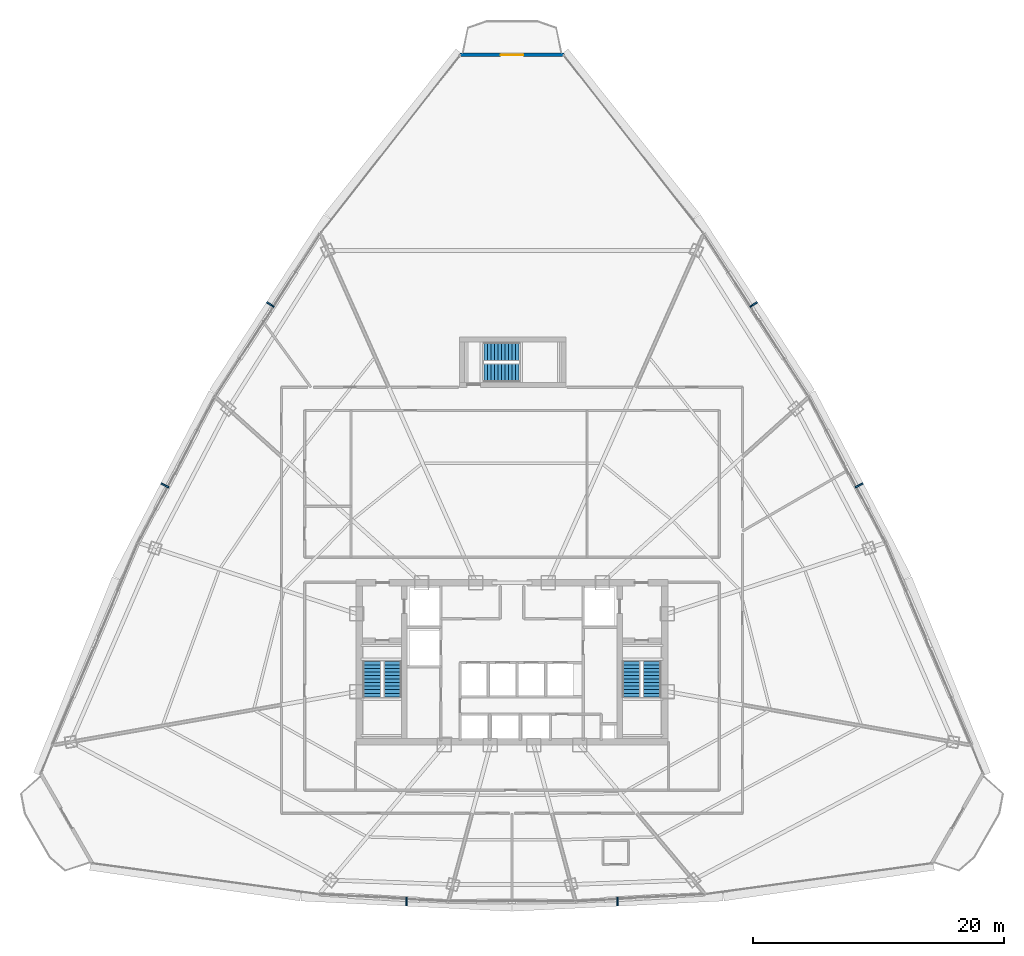
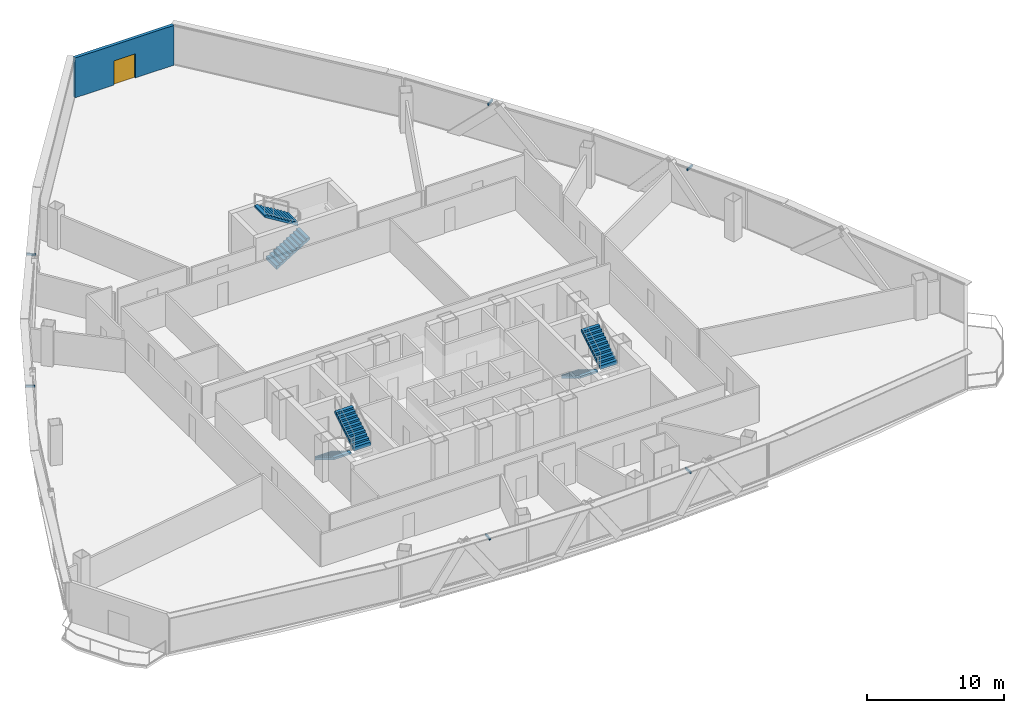
# One storey, part 32 of 36: 6 discrete accessories, 6 stair flights, 1 door, 1 wall, 1 opening, 3 elements without a shape of their own.
"""IFC4 building model written with IfcOpenShell, lengths in metres."""

from ifc_helpers import new_model, si_unit, direction, frame, frame_2d, origin, origin_with_axes, origin_2d, place, context, subcontext, project, spatial, polyline, rectangle, outline, extrude, source, transform, mapped, material, layer, layer_set, type_object, element, fill, aggregate, save


model = new_model("IFC4")

# Units and contexts
model_context = context("Model", 3, precision=1e-05, world=origin(), true_north=direction((0.0, 1.0)))
body_context = subcontext(model_context, "Body", "Model", "MODEL_VIEW")
ifc_project = project(units=[si_unit("LENGTHUNIT", "METRE"), si_unit("AREAUNIT", "SQUARE_METRE"), si_unit("VOLUMEUNIT", "CUBIC_METRE"), si_unit("PLANEANGLEUNIT", "RADIAN"), si_unit("MASSUNIT", "GRAM", prefix="KILO"), si_unit("THERMODYNAMICTEMPERATUREUNIT", "KELVIN"), si_unit("POWERUNIT", "WATT")], contexts=[model_context])

# Site, building, storey
site_placement = place(None, origin())
site = spatial("IfcSite", under=ifc_project, at=site_placement, CompositionType="ELEMENT")
building_placement = place(site_placement, origin())
building = spatial("IfcBuilding", under=site, at=building_placement, Name="Yunzhuo Pagoda Commons", CompositionType="ELEMENT")
storey_placement = place(building_placement, frame((0.0, 0.0, 211.360107421875)))
storey = spatial("IfcBuildingStorey", under=building, at=storey_placement, Name="L53", CompositionType="ELEMENT", Elevation=211.360107421875)

# Wall, opening, door
ifc_material_1 = material(Name="Precast concrete C40", Category="concrete")
ifc_layer = layer(ifc_material_1, 0.260009765625)
ifc_layer_set = layer_set([ifc_layer], Name="Precast concrete C40")
wall_type = type_object("IfcWallType", Name="W-BAL1 Corner Balcony Threshold Wall 260", PredefinedType="STANDARD", material=ifc_layer_set)
wall_placement = place(storey_placement, frame((52.16943359375, 82.336669921875, 0.0), z_axis=(0.0, 0.0, 1.0), x_axis=(-1.0, 0.0, 0.0)))
wall = element("IfcWall", 1, at=wall_placement, inside=storey, type_object=wall_type, Name="L53 corner balcony wall V3", PredefinedType="STANDARD", context=body_context, shape_type="SweptSolid", body=[
    extrude(rectangle(XDim=8.3388671875, YDim=0.260009765625, at=frame_2d((4.16943359375, 0.0))), origin(), (0.0, 0.0, 1.0), 3.539794921875),
])
opening_placement = place(wall_placement, frame((3.26953125, 0.0, 0.0)))
opening = element("IfcOpeningElement", 2, at=opening_placement, cuts=wall, Name="Opening D-BAL1", PredefinedType="OPENING", context=body_context, shape_type="SweptSolid", body=[
    extrude(rectangle(XDim=1.800048828125, YDim=2.14990234375, at=frame_2d((0.89990234375, 1.074951171875))), frame((0.0, 0.14013671875, 0.0), z_axis=(0.0, -1.0, 0.0), x_axis=(1.0, 0.0, 0.0)), (0.0, 0.0, 1.0), 0.280029296875),
])
ifc_material_2 = material(Name="Anodized aluminium frame and tempered glazed leaf", Category="aluminium")
door_type = type_object("IfcDoorType", Name="D-BAL1 Corner Balcony Sliding Glazed Door 1800x2150", OperationType="DOUBLE_DOOR_SLIDING", PredefinedType="DOOR", material=ifc_material_2)
shared_shape_1 = source(origin(), body_context, "Body", "SweptSolid", [
    extrude(rectangle(XDim=1.800048828125, YDim=2.14990234375, at=frame_2d((0.89990234375, 1.074951171875))), frame((0.0, 0.02490234375, 0.0), z_axis=(0.0, -1.0, 0.0), x_axis=(1.0, 0.0, 0.0)), (0.0, 0.0, 1.0), 0.050048828125),
])
door_placement = place(opening_placement, origin_with_axes())
door = element("IfcDoor", 3, at=door_placement, inside=storey, type_object=door_type, Name="L53 corner balcony sliding door V3", OperationType="DOUBLE_DOOR_SLIDING", OverallHeight=2.14990234375, OverallWidth=1.800048828125, PredefinedType="DOOR", context=body_context, shape_type="MappedRepresentation", body=[
    mapped(shared_shape_1, transform((0.0, 0.0, 0.0), scale=1.0)),
])
fill(opening, door)

# Stair, stair flights
ifc_material_3 = material(Name="Concrete C40", Category="concrete")
stair_type_1 = type_object("IfcStairType", Name="ST-C1 Core Smokeproof Stair ST1", PredefinedType="HALF_TURN_STAIR", material=ifc_material_3)
stair_1_placement = place(storey_placement, origin())
stair_1 = element("IfcStair", 4, at=stair_1_placement, inside=storey, type_object=stair_type_1, Name="L53 Core smokeproof stair ST1", PredefinedType="HALF_TURN_STAIR")
stair_flight_type_1 = type_object("IfcStairFlightType", Name="STF-C1 Core Stair Flight 1450", PredefinedType="STRAIGHT", material=ifc_material_3)
shared_shape_2 = source(origin(), body_context, "Body", "SweptSolid", [
    extrude(outline(polyline([(0.0, -0.14990234375), (0.0, 0.0), (0.0, 0.172607421875), (0.280029296875, 0.172607421875), (0.280029296875, 0.345458984375), (0.56005859375, 0.345458984375), (0.56005859375, 0.51806640625), (0.840087890625, 0.51806640625), (0.840087890625, 0.69091796875), (1.1201171875, 0.69091796875), (1.1201171875, 0.863525390625), (1.39990234375, 0.863525390625), (1.39990234375, 1.036376953125), (1.679931640625, 1.036376953125), (1.679931640625, 1.208984375), (1.9599609375, 1.208984375), (1.9599609375, 1.3818359375), (2.239990234375, 1.3818359375), (2.239990234375, 1.554443359375), (2.52001953125, 1.554443359375), (2.52001953125, 1.727294921875), (2.800048828125, 1.727294921875), (2.800048828125, 1.89990234375), (2.800048828125, 1.551025390625), (0.285400390625, 0.0), (0.050048828125, -0.14990234375), (0.0, -0.14990234375)])), frame((0.0, 0.72509765625, 0.0), z_axis=(0.0, -1.0, 0.0), x_axis=(1.0, 0.0, 0.0)), (0.0, 0.0, 1.0), 1.449951171875),
])
stair_flight_1_placement = place(storey_placement, frame((36.824951171875, 33.89990234375, 0.0), z_axis=(0.0, 0.0, 1.0), x_axis=(0.0, -1.0, 0.0)))
stair_flight_1 = element("IfcStairFlight", 5, at=stair_flight_1_placement, type_object=stair_flight_type_1, Name="ST1 flight 1", NumberOfRisers=11, NumberOfTreads=10, PredefinedType="STRAIGHT", RiserHeight=0.172727273, TreadLength=0.28, context=body_context, shape_type="MappedRepresentation", body=[
    mapped(shared_shape_2, transform((0.0, 0.0, 0.0), scale=1.0)),
])
stair_flight_2_placement = place(storey_placement, frame((38.47509765625, 31.10009765625, 1.89990234375), z_axis=(0.0, 0.0, 1.0), x_axis=(0.0, 1.0, 0.0)))
stair_flight_2 = element("IfcStairFlight", 6, at=stair_flight_2_placement, type_object=stair_flight_type_1, Name="ST1 flight 2", NumberOfRisers=11, NumberOfTreads=10, PredefinedType="STRAIGHT", RiserHeight=0.172727273, TreadLength=0.28, context=body_context, shape_type="MappedRepresentation", body=[
    mapped(shared_shape_2, transform((0.0, 0.0, 0.0), scale=1.0)),
])
aggregate(stair_1, [stair_flight_1, stair_flight_2])

stair_type_2 = type_object("IfcStairType", Name="ST-C2 Core Smokeproof Stair ST2", PredefinedType="HALF_TURN_STAIR", material=ifc_material_3)
stair_2_placement = place(storey_placement, origin())
stair_2 = element("IfcStair", 7, at=stair_2_placement, inside=storey, type_object=stair_type_2, Name="L53 Core smokeproof stair ST2", PredefinedType="HALF_TURN_STAIR")
stair_flight_type_2 = type_object("IfcStairFlightType", Name="STF-C2 Core Stair Flight 1460", PredefinedType="STRAIGHT", material=ifc_material_3)
stair_flight_3_placement = place(storey_placement, frame((57.52490234375, 33.89990234375, 0.0), z_axis=(0.0, 0.0, 1.0), x_axis=(0.0, -1.0, 0.0)))
stair_flight_3 = element("IfcStairFlight", 8, at=stair_flight_3_placement, type_object=stair_flight_type_2, Name="ST2 flight 1", NumberOfRisers=11, NumberOfTreads=10, PredefinedType="STRAIGHT", RiserHeight=0.172727273, TreadLength=0.28, context=body_context, shape_type="MappedRepresentation", body=[
    mapped(shared_shape_2, transform((0.0, 0.0, 0.0), scale=1.0)),
])
stair_flight_4_placement = place(storey_placement, frame((59.175048828125, 31.10009765625, 1.89990234375), z_axis=(0.0, 0.0, 1.0), x_axis=(0.0, 1.0, 0.0)))
stair_flight_4 = element("IfcStairFlight", 9, at=stair_flight_4_placement, type_object=stair_flight_type_2, Name="ST2 flight 2", NumberOfRisers=11, NumberOfTreads=10, PredefinedType="STRAIGHT", RiserHeight=0.172727273, TreadLength=0.28, context=body_context, shape_type="MappedRepresentation", body=[
    mapped(shared_shape_2, transform((0.0, 0.0, 0.0), scale=1.0)),
])
aggregate(stair_2, [stair_flight_3, stair_flight_4])

stair_type_3 = type_object("IfcStairType", Name="ST-C3 North Tower Smokeproof Stair ST3", PredefinedType="HALF_TURN_STAIR", material=ifc_material_3)
stair_3_placement = place(storey_placement, origin())
stair_3 = element("IfcStair", 10, at=stair_3_placement, inside=storey, type_object=stair_type_3, Name="L53 North tower smokeproof stair ST3", PredefinedType="HALF_TURN_STAIR")
stair_flight_type_3 = type_object("IfcStairFlightType", Name="STF-C3 North Stair Flight 1500", PredefinedType="STRAIGHT", material=ifc_material_3)
shared_shape_3 = source(origin(), body_context, "Body", "SweptSolid", [
    extrude(outline(polyline([(0.0, -0.14990234375), (0.0, 0.0), (0.0, 0.172607421875), (0.280029296875, 0.172607421875), (0.280029296875, 0.345458984375), (0.56005859375, 0.345458984375), (0.56005859375, 0.51806640625), (0.840087890625, 0.51806640625), (0.840087890625, 0.69091796875), (1.1201171875, 0.69091796875), (1.1201171875, 0.863525390625), (1.39990234375, 0.863525390625), (1.39990234375, 1.036376953125), (1.679931640625, 1.036376953125), (1.679931640625, 1.208984375), (1.9599609375, 1.208984375), (1.9599609375, 1.3818359375), (2.239990234375, 1.3818359375), (2.239990234375, 1.554443359375), (2.52001953125, 1.554443359375), (2.52001953125, 1.727294921875), (2.800048828125, 1.727294921875), (2.800048828125, 1.89990234375), (2.800048828125, 1.551025390625), (0.285400390625, 0.0), (0.050048828125, -0.14990234375), (0.0, -0.14990234375)])), frame((0.0, 0.75, 0.0), z_axis=(0.0, -1.0, 0.0), x_axis=(1.0, 0.0, 0.0)), (0.0, 0.0, 1.0), 1.5),
])
stair_flight_5_placement = place(storey_placement, frame((45.75, 56.949951171875, 0.0), z_axis=(0.0, 0.0, 1.0), x_axis=(1.0, 0.0, 0.0)))
stair_flight_5 = element("IfcStairFlight", 11, at=stair_flight_5_placement, type_object=stair_flight_type_3, Name="ST3 flight 1", NumberOfRisers=11, NumberOfTreads=10, PredefinedType="STRAIGHT", RiserHeight=0.172727273, TreadLength=0.28, context=body_context, shape_type="MappedRepresentation", body=[
    mapped(shared_shape_3, transform((0.0, 0.0, 0.0), scale=1.0)),
])
stair_flight_6_placement = place(storey_placement, frame((48.550048828125, 58.64990234375, 1.89990234375), z_axis=(0.0, 0.0, 1.0), x_axis=(-1.0, 0.0, 0.0)))
stair_flight_6 = element("IfcStairFlight", 12, at=stair_flight_6_placement, type_object=stair_flight_type_3, Name="ST3 flight 2", NumberOfRisers=11, NumberOfTreads=10, PredefinedType="STRAIGHT", RiserHeight=0.172727273, TreadLength=0.28, context=body_context, shape_type="MappedRepresentation", body=[
    mapped(shared_shape_3, transform((0.0, 0.0, 0.0), scale=1.0)),
])
aggregate(stair_3, [stair_flight_5, stair_flight_6])

# Discrete accessories
ifc_material_4 = material(Name="Anodized aluminium 6063-T6", Category="aluminium")
discrete_accessory_type = type_object("IfcDiscreteAccessoryType", Name="BK-SUN1 Sunshade Outrigger Bracket", PredefinedType="BRACKET", material=ifc_material_4)
shared_shape_4 = source(origin(), body_context, "Body", "SweptSolid", [
    extrude(rectangle(XDim=0.1201171875, YDim=0.679931640625, at=origin_2d()), origin(), (0.0, 0.0, 1.0), 0.179931640625),
])
for number, where, z_axis, x_axis, name in (
    (13, (39.576904296875, 14.749267578125, 3.330078125), (0.0, 0.0, 1.0), (0.998818043775, -0.04860571396, 0.0), "L53 sunshade outrigger bracket F1.2"),
    (14, (56.423095703125, 14.749267578125, 3.330078125), (0.0, 0.0, 1.0), (0.998818043775, 0.04860571396, 0.0), "L53 sunshade outrigger bracket F1.3"),
    (15, (75.705078125, 47.9716796875, 3.330078125), (0.0, 0.0, 1.0), (-0.461206683033, 0.88729273384, 0.0), "L53 sunshade outrigger bracket F2.2"),
    (16, (67.281982421875, 62.4013671875, 3.330078125), (0.0, 0.0, 1.0), (-0.545838756973, 0.837890238269, 0.0), "L53 sunshade outrigger bracket F2.3"),
    (17, (28.718017578125, 62.4013671875, 3.330078125), (0.0, 0.0, 1.0), (-0.545838756973, -0.837890238269, 0.0), "L53 sunshade outrigger bracket F3.2"),
    (18, (20.294921875, 47.9716796875, 3.330078125), (0.0, 0.0, 1.0), (-0.461206683033, -0.88729273384, 0.0), "L53 sunshade outrigger bracket F3.3"),
):
    element("IfcDiscreteAccessory", number, at=place(storey_placement, frame(where, z_axis=z_axis, x_axis=x_axis)), inside=storey, type_object=discrete_accessory_type, Name=name, PredefinedType="BRACKET", context=body_context, shape_type="MappedRepresentation", body=[
        mapped(shared_shape_4, transform((0.0, 0.0, 0.0), scale=1.0)),
    ])

save(model, "model.ifc")
